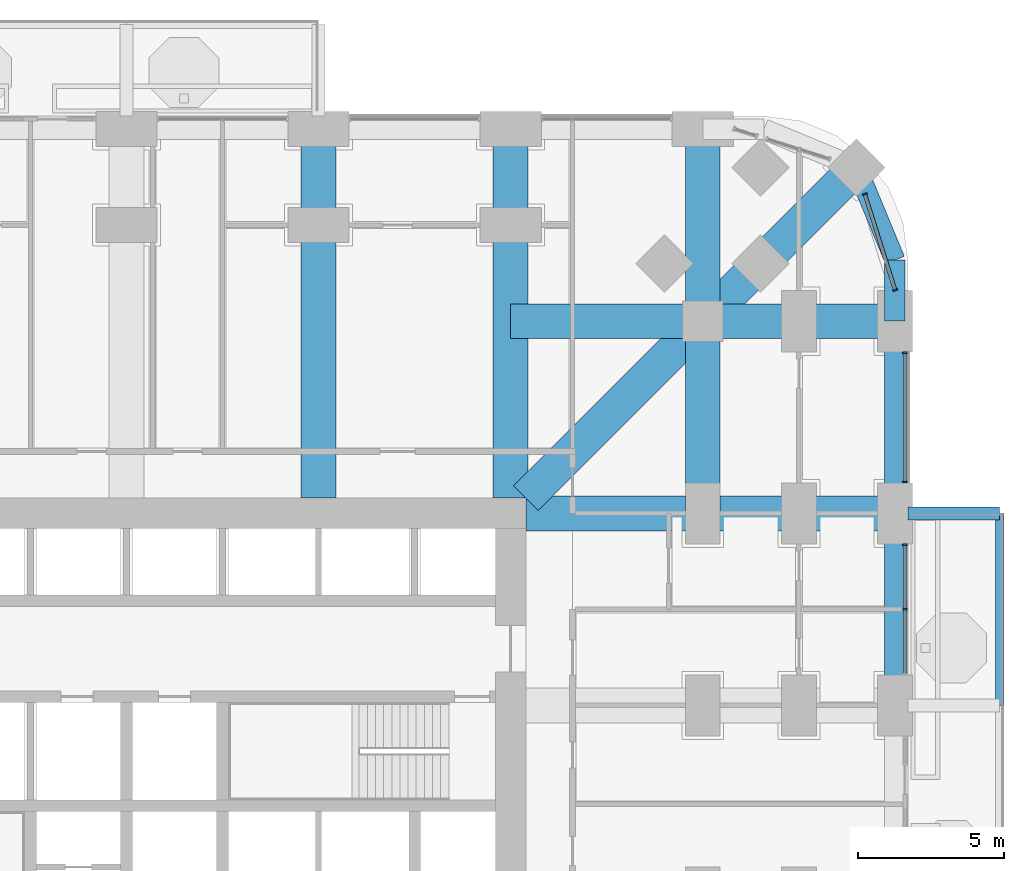
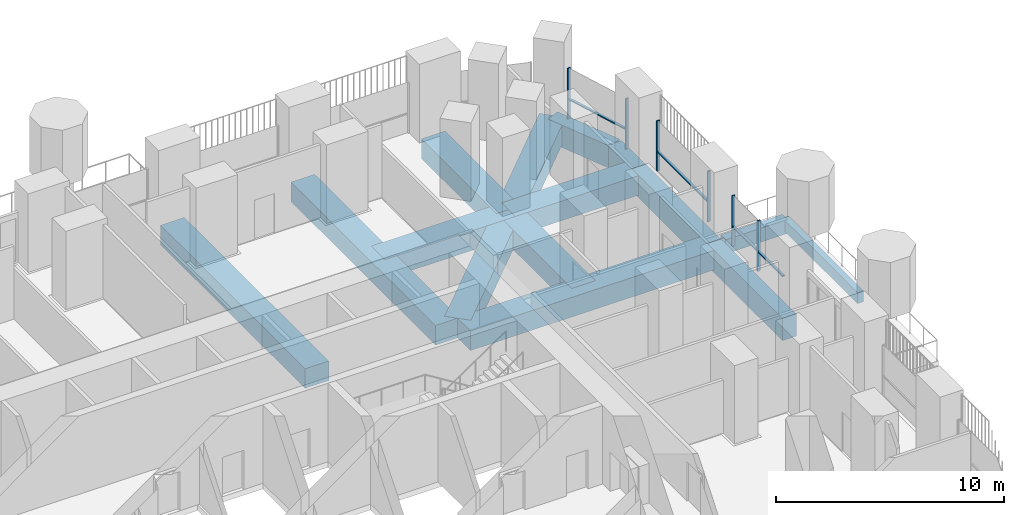
# One storey, part 8 of 26: 15 beams, 10 members, 3 elements without a shape of their own.
"""IFC4 building model written with IfcOpenShell, lengths in metres."""

from ifc_helpers import new_model, si_unit, direction, frame, origin, origin_2d, place, context, subcontext, project, spatial, rectangle, extrude, material, material_profile, profile_set, type_object, element, aggregate, save


model = new_model("IFC4")

# Units and contexts
model_context = context("Model", 3, precision=1e-05, world=origin(), true_north=direction((0.0, 1.0)))
body_context = subcontext(model_context, "Body", "Model", "MODEL_VIEW")
ifc_project = project(units=[si_unit("LENGTHUNIT", "METRE"), si_unit("AREAUNIT", "SQUARE_METRE"), si_unit("VOLUMEUNIT", "CUBIC_METRE"), si_unit("PLANEANGLEUNIT", "RADIAN"), si_unit("MASSUNIT", "GRAM", prefix="KILO")], contexts=[model_context])

# Site, building, storey
site_placement = place(None, origin())
site = spatial("IfcSite", under=ifc_project, at=site_placement, CompositionType="ELEMENT")
building_placement = place(site_placement, origin())
building = spatial("IfcBuilding", under=site, at=building_placement, Name="Cobogo Forest Laboratory Tower", CompositionType="ELEMENT")
storey_placement = place(building_placement, frame((0.0, 0.0, 25.5)))
storey = spatial("IfcBuildingStorey", under=building, at=storey_placement, Name="L05", CompositionType="ELEMENT", Elevation=25.5)

# Beams
ifc_material_1 = material(Name="Concrete HA-40 (C40/50)", Category="concrete")
ifc_material_profile_1 = material_profile(ifc_material_1, rectangle(XDim=0.449951171875, YDim=0.75, at=origin_2d()), Name="RC 450x750")
ifc_profile_set_1 = profile_set([ifc_material_profile_1], Name="Concrete HA-40 (C40/50)")
beam_type_1 = type_object("IfcBeamType", Name="Balcony cantilever beam 450x750", PredefinedType="BEAM", material=ifc_profile_set_1)
beam_1_placement = place(storey_placement, frame((53.25, 33.0, -0.625), z_axis=(1.0, 0.0, 0.0), x_axis=(0.0, 1.0, 0.0)))
element("IfcBeam", 1, at=beam_1_placement, inside=storey, type_object=beam_type_1, Name="CB1 BAL-E1-C3 L05", PredefinedType="BEAM", context=body_context, shape_type="SweptSolid", body=[
    extrude(rectangle(XDim=0.449951171875, YDim=0.75, at=origin_2d()), origin(), (0.0, 0.0, 1.0), 3.14990234375),
])
ifc_material_profile_2 = material_profile(ifc_material_1, rectangle(XDim=0.300048828125, YDim=0.60009765625, at=origin_2d()), Name="RC 300x600")
ifc_profile_set_2 = profile_set([ifc_material_profile_2], Name="Concrete HA-40 (C40/50)")
beam_type_2 = type_object("IfcBeamType", Name="Balcony edge beam 300x600", PredefinedType="BEAM", material=ifc_profile_set_2)
beam_2_placement = place(storey_placement, frame((56.39990234375, 26.39990234375, -0.550048828125), z_axis=(0.0, 1.0, 0.0), x_axis=(-1.0, 0.0, 0.0)))
element("IfcBeam", 2, at=beam_2_placement, inside=storey, type_object=beam_type_2, Name="BB1 BAL-E1-T2 L05", PredefinedType="BEAM", context=body_context, shape_type="SweptSolid", body=[
    extrude(rectangle(XDim=0.300048828125, YDim=0.60009765625, at=origin_2d()), origin(), (0.0, 0.0, 1.0), 6.60009765625),
])
ifc_material_profile_3 = material_profile(ifc_material_1, rectangle(XDim=1.199951171875, YDim=1.050048828125, at=origin_2d()), Name="RC 1200x1050")
ifc_profile_set_3 = profile_set([ifc_material_profile_3], Name="Concrete HA-40 (C40/50)")
beam_type_3 = type_object("IfcBeamType", Name="Laboratory floor wide beam 1200x1050", PredefinedType="BEAM", material=ifc_profile_set_3)
for number, where, z_axis, x_axis, name in (
    (3, (33.0, 33.52490234375, -0.824951171875), (0.0, 1.0, 0.0), (-1.0, 0.0, 0.0), "RB1 R-6-N L05"),
    (4, (39.60009765625, 33.52490234375, -0.824951171875), (0.0, 1.0, 0.0), (-1.0, 0.0, 0.0), "RB1 R-7-N L05"),
    (5, (40.125, 33.0, -0.824951171875), (1.0, 0.0, 0.0), (0.0, 1.0, 0.0), "RB1 R-F-E L05"),
):
    element("IfcBeam", number, at=place(storey_placement, frame(where, z_axis=z_axis, x_axis=x_axis)), inside=storey, type_object=beam_type_3, Name=name, PredefinedType="BEAM", context=body_context, shape_type="SweptSolid", body=[
        extrude(rectangle(XDim=1.199951171875, YDim=1.050048828125, at=origin_2d()), origin(), (0.0, 0.0, 1.0), 12.675048828125),
    ])
beam_3_placement = place(storey_placement, frame((46.199951171875, 46.199951171875, -0.824951171875), z_axis=(0.0, -1.0, 0.0), x_axis=(1.0, 0.0, 0.0)))
element("IfcBeam", 6, at=beam_3_placement, inside=storey, type_object=beam_type_3, Name="RB1 G-NE-XF L05", PredefinedType="BEAM", context=body_context, shape_type="SweptSolid", body=[
    extrude(rectangle(XDim=1.199951171875, YDim=1.050048828125, at=origin_2d()), origin(), (0.0, 0.0, 1.0), 6.599853515625),
])
for number, where, z_axis, x_axis, name in (
    (7, (46.199951171875, 39.60009765625, -0.824951171875), (0.0, -1.0, 0.0), (1.0, 0.0, 0.0), "RB1 G-NE-XC L05"),
    (8, (52.800048828125, 39.60009765625, -0.824951171875), (-1.0, 0.0, 0.0), (0.0, -1.0, 0.0), "RB1 G-NE-YF L05"),
):
    element("IfcBeam", number, at=place(storey_placement, frame(where, z_axis=z_axis, x_axis=x_axis)), inside=storey, type_object=beam_type_3, Name=name, PredefinedType="BEAM", context=body_context, shape_type="SweptSolid", body=[
        extrude(rectangle(XDim=1.199951171875, YDim=1.050048828125, at=origin_2d()), origin(), (0.0, 0.0, 1.0), 6.60009765625),
    ])
beam_4_placement = place(storey_placement, frame((46.199951171875, 39.60009765625, -0.824951171875), z_axis=(-1.0, 0.0, 0.0), x_axis=(0.0, -1.0, 0.0)))
element("IfcBeam", 9, at=beam_4_placement, inside=storey, type_object=beam_type_3, Name="RB1 G-NE-YC L05", PredefinedType="BEAM", context=body_context, shape_type="SweptSolid", body=[
    extrude(rectangle(XDim=1.199951171875, YDim=1.050048828125, at=origin_2d()), origin(), (0.0, 0.0, 1.0), 6.599853515625),
])
beam_5_placement = place(storey_placement, frame((51.48193359375, 44.882080078125, -0.824951171875), z_axis=(-0.707106781187, -0.707106781187, 0.0), x_axis=(0.707106781187, -0.707106781187, 0.0)))
element("IfcBeam", 10, at=beam_5_placement, inside=storey, type_object=beam_type_3, Name="RB1 G-NE-D1 L05", PredefinedType="BEAM", context=body_context, shape_type="SweptSolid", body=[
    extrude(rectangle(XDim=1.199951171875, YDim=1.050048828125, at=origin_2d()), origin(), (0.0, 0.0, 1.0), 7.469970703125),
])
beam_6_placement = place(storey_placement, frame((46.199951171875, 39.60009765625, -0.824951171875), z_axis=(-0.707092572697, -0.70712098939, 0.0), x_axis=(0.70712098939, -0.707092572697, 0.0)))
element("IfcBeam", 11, at=beam_6_placement, inside=storey, type_object=beam_type_3, Name="RB1 G-NE-D2 L05", PredefinedType="BEAM", context=body_context, shape_type="SweptSolid", body=[
    extrude(rectangle(XDim=1.199951171875, YDim=1.050048828125, at=origin_2d()), origin(), (0.0, 0.0, 1.0), 8.591552734375),
])

# Curtain wall, members
ifc_material_2 = material(Name="Aluminium curtain wall", Category="aluminium")
curtain_wall_type = type_object("IfcCurtainWallType", Name="CW-1 unitised curtain wall, clear glazing, laboratory floors zones A and B", PredefinedType="USERDEFINED", material=ifc_material_2)
curtain_wall_1_placement = place(storey_placement, origin())
curtain_wall_1 = element("IfcCurtainWall", 12, at=curtain_wall_1_placement, inside=storey, type_object=curtain_wall_type, Name="Curtain wall 13 L05", ObjectType="UNITISED CURTAIN WALL", PredefinedType="USERDEFINED")
ifc_material_3 = material(Name="Aluminium mullion", Category="aluminium")
ifc_material_profile_4 = material_profile(ifc_material_3, rectangle(XDim=0.06005859375, YDim=0.159912109375, at=origin_2d()), Name="AL 60x160")
ifc_profile_set_4 = profile_set([ifc_material_profile_4], Name="Aluminium mullion")
member_type_1 = type_object("IfcMemberType", Name="MU-1 aluminium mullion 60x160", PredefinedType="MULLION", material=ifc_profile_set_4)
member_1_placement = place(storey_placement, frame((53.14990234375, 29.699951171875, 0.0), z_axis=(0.0, 0.0, 1.0), x_axis=(0.0, 1.0, 0.0)))
member_1 = element("IfcMember", 13, at=member_1_placement, type_object=member_type_1, Name="CW-1 mullion 2", PredefinedType="MULLION", context=body_context, shape_type="SweptSolid", body=[
    extrude(rectangle(XDim=0.06005859375, YDim=0.159912109375, at=origin_2d()), origin(), (0.0, 0.0, 1.0), 2.699951171875),
])
member_2_placement = place(storey_placement, frame((53.14990234375, 31.919921875, 0.0), z_axis=(0.0, 0.0, 1.0), x_axis=(0.0, 1.0, 0.0)))
member_2 = element("IfcMember", 14, at=member_2_placement, type_object=member_type_1, Name="CW-1 mullion 3", PredefinedType="MULLION", context=body_context, shape_type="SweptSolid", body=[
    extrude(rectangle(XDim=0.06005859375, YDim=0.159912109375, at=origin_2d()), origin(), (0.0, 0.0, 1.0), 2.699951171875),
])

curtain_wall_2_placement = place(storey_placement, origin())
curtain_wall_2 = element("IfcCurtainWall", 15, at=curtain_wall_2_placement, inside=storey, type_object=curtain_wall_type, Name="Curtain wall 14 L05", ObjectType="UNITISED CURTAIN WALL", PredefinedType="USERDEFINED")
member_3_placement = place(storey_placement, frame((53.14990234375, 34.080078125, 0.0), z_axis=(0.0, 0.0, 1.0), x_axis=(0.0, 1.0, 0.0)))
member_3 = element("IfcMember", 16, at=member_3_placement, type_object=member_type_1, Name="CW-1 mullion 1", PredefinedType="MULLION", context=body_context, shape_type="SweptSolid", body=[
    extrude(rectangle(XDim=0.06005859375, YDim=0.159912109375, at=origin_2d()), origin(), (0.0, 0.0, 1.0), 2.699951171875),
])
member_4_placement = place(storey_placement, frame((53.14990234375, 38.52001953125, 0.0), z_axis=(0.0, 0.0, 1.0), x_axis=(0.0, 1.0, 0.0)))
member_4 = element("IfcMember", 17, at=member_4_placement, type_object=member_type_1, Name="CW-1 mullion 2", PredefinedType="MULLION", context=body_context, shape_type="SweptSolid", body=[
    extrude(rectangle(XDim=0.06005859375, YDim=0.159912109375, at=origin_2d()), origin(), (0.0, 0.0, 1.0), 2.699951171875),
])

curtain_wall_3_placement = place(storey_placement, origin())
curtain_wall_3 = element("IfcCurtainWall", 18, at=curtain_wall_3_placement, inside=storey, type_object=curtain_wall_type, Name="Curtain wall 15 L05", ObjectType="UNITISED CURTAIN WALL", PredefinedType="USERDEFINED")
member_5_placement = place(storey_placement, frame((52.809326171875, 40.6787109375, 0.0), z_axis=(0.0, 0.0, 1.0), x_axis=(-0.30113535792, 0.95358140513, 0.0)))
member_5 = element("IfcMember", 19, at=member_5_placement, type_object=member_type_1, Name="CW-1 mullion 1", PredefinedType="MULLION", context=body_context, shape_type="SweptSolid", body=[
    extrude(rectangle(XDim=0.06005859375, YDim=0.159912109375, at=origin_2d()), origin(), (0.0, 0.0, 1.0), 2.699951171875),
])
member_6_placement = place(storey_placement, frame((51.772705078125, 43.961181640625, 0.0), z_axis=(0.0, 0.0, 1.0), x_axis=(-0.30113535792, 0.95358140513, 0.0)))
member_6 = element("IfcMember", 20, at=member_6_placement, type_object=member_type_1, Name="CW-1 mullion 2", PredefinedType="MULLION", context=body_context, shape_type="SweptSolid", body=[
    extrude(rectangle(XDim=0.06005859375, YDim=0.159912109375, at=origin_2d()), origin(), (0.0, 0.0, 1.0), 2.699951171875),
])

# Beams
ifc_material_profile_5 = material_profile(ifc_material_1, rectangle(XDim=0.699951171875, YDim=1.199951171875, at=origin_2d()), Name="RC 700x1200")
ifc_profile_set_5 = profile_set([ifc_material_profile_5], Name="Concrete HA-40 (C40/50)")
beam_type_4 = type_object("IfcBeamType", Name="Perimeter edge beam 700x1200", PredefinedType="BEAM", material=ifc_profile_set_5)
for number, where, z_axis, x_axis, name in (
    (21, (52.800048828125, 26.39990234375, -0.89990234375), (0.0, 1.0, 0.0), (-1.0, 0.0, 0.0), "EB1 E-E4 L05"),
    (22, (52.800048828125, 33.0, -0.89990234375), (0.0, 1.0, 0.0), (-1.0, 0.0, 0.0), "EB1 E-E5 L05"),
):
    element("IfcBeam", number, at=place(storey_placement, frame(where, z_axis=z_axis, x_axis=x_axis)), inside=storey, type_object=beam_type_4, Name=name, PredefinedType="BEAM", context=body_context, shape_type="SweptSolid", body=[
        extrude(rectangle(XDim=0.699951171875, YDim=1.199951171875, at=origin_2d()), origin(), (0.0, 0.0, 1.0), 6.60009765625),
    ])
beam_7_placement = place(storey_placement, frame((52.800048828125, 39.60009765625, -0.89990234375), z_axis=(0.0, 1.0, 0.0), x_axis=(-1.0, 0.0, 0.0)))
element("IfcBeam", 23, at=beam_7_placement, inside=storey, type_object=beam_type_4, Name="EB1 E-NEE1 L05", PredefinedType="BEAM", context=body_context, shape_type="SweptSolid", body=[
    extrude(rectangle(XDim=0.699951171875, YDim=1.199951171875, at=origin_2d()), origin(), (0.0, 0.0, 1.0), 2.099853515625),
])
beam_8_placement = place(storey_placement, frame((52.800048828125, 41.699951171875, -0.89990234375), z_axis=(-0.382691928466, 0.923876013265, 0.0), x_axis=(-0.923876013265, -0.382691928466, 0.0)))
element("IfcBeam", 24, at=beam_8_placement, inside=storey, type_object=beam_type_4, Name="EB1 E-NEE2 L05", PredefinedType="BEAM", context=body_context, shape_type="SweptSolid", body=[
    extrude(rectangle(XDim=0.699951171875, YDim=1.199951171875, at=origin_2d()), origin(), (0.0, 0.0, 1.0), 3.4443359375),
])

# Member
ifc_material_4 = material(Name="Aluminium transom", Category="aluminium")
ifc_material_profile_6 = material_profile(ifc_material_4, rectangle(XDim=0.1201171875, YDim=0.06005859375, at=origin_2d()), Name="AL 60x120")
ifc_profile_set_6 = profile_set([ifc_material_profile_6], Name="Aluminium transom")
member_type_2 = type_object("IfcMemberType", Name="TR-1 aluminium transom 60x120", PredefinedType="USERDEFINED", material=ifc_profile_set_6)
member_7_placement = place(storey_placement, frame((53.14990234375, 27.510009765625, 1.050048828125), z_axis=(0.0, 1.0, 0.0), x_axis=(-1.0, 0.0, 0.0)))
member_7 = element("IfcMember", 25, at=member_7_placement, type_object=member_type_2, Name="CW-1 transom 1.1", ObjectType="TRANSOM", PredefinedType="USERDEFINED", context=body_context, shape_type="SweptSolid", body=[
    extrude(rectangle(XDim=0.1201171875, YDim=0.06005859375, at=origin_2d()), origin(), (0.0, 0.0, 1.0), 2.159912109375),
])

member_8_placement = place(storey_placement, frame((53.14990234375, 29.72998046875, 1.050048828125), z_axis=(0.0, 1.0, 0.0), x_axis=(-1.0, 0.0, 0.0)))
member_8 = element("IfcMember", 26, at=member_8_placement, type_object=member_type_2, Name="CW-1 transom 2.1", ObjectType="TRANSOM", PredefinedType="USERDEFINED", context=body_context, shape_type="SweptSolid", body=[
    extrude(rectangle(XDim=0.1201171875, YDim=0.06005859375, at=origin_2d()), origin(), (0.0, 0.0, 1.0), 2.159912109375),
])

aggregate(curtain_wall_1, [member_1, member_2, member_7, member_8])

member_9_placement = place(storey_placement, frame((53.14990234375, 34.110107421875, 1.050048828125), z_axis=(0.0, 1.0, 0.0), x_axis=(-1.0, 0.0, 0.0)))
member_9 = element("IfcMember", 27, at=member_9_placement, type_object=member_type_2, Name="CW-1 transom 1.1", ObjectType="TRANSOM", PredefinedType="USERDEFINED", context=body_context, shape_type="SweptSolid", body=[
    extrude(rectangle(XDim=0.1201171875, YDim=0.06005859375, at=origin_2d()), origin(), (0.0, 0.0, 1.0), 4.3798828125),
])

aggregate(curtain_wall_2, [member_3, member_4, member_9])

member_10_placement = place(storey_placement, frame((52.80029296875, 40.707275390625, 1.050048828125), z_axis=(-0.301138276922, 0.953580483322, 0.0), x_axis=(-0.953580483322, -0.301138276922, 0.0)))
member_10 = element("IfcMember", 28, at=member_10_placement, type_object=member_type_2, Name="CW-1 transom 1.1", ObjectType="TRANSOM", PredefinedType="USERDEFINED", context=body_context, shape_type="SweptSolid", body=[
    extrude(rectangle(XDim=0.1201171875, YDim=0.06005859375, at=origin_2d()), origin(), (0.0, 0.0, 1.0), 3.38232421875),
])

aggregate(curtain_wall_3, [member_5, member_6, member_10])

save(model, "model.ifc")
